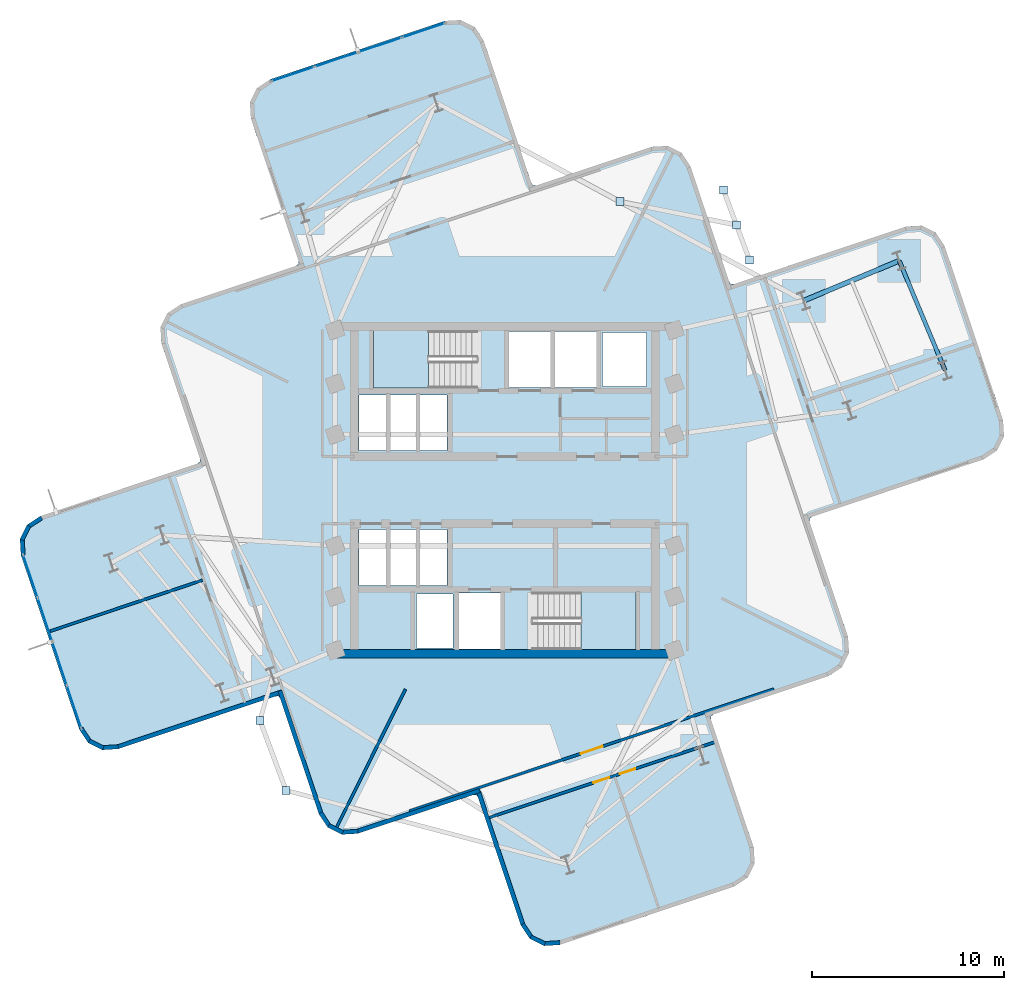
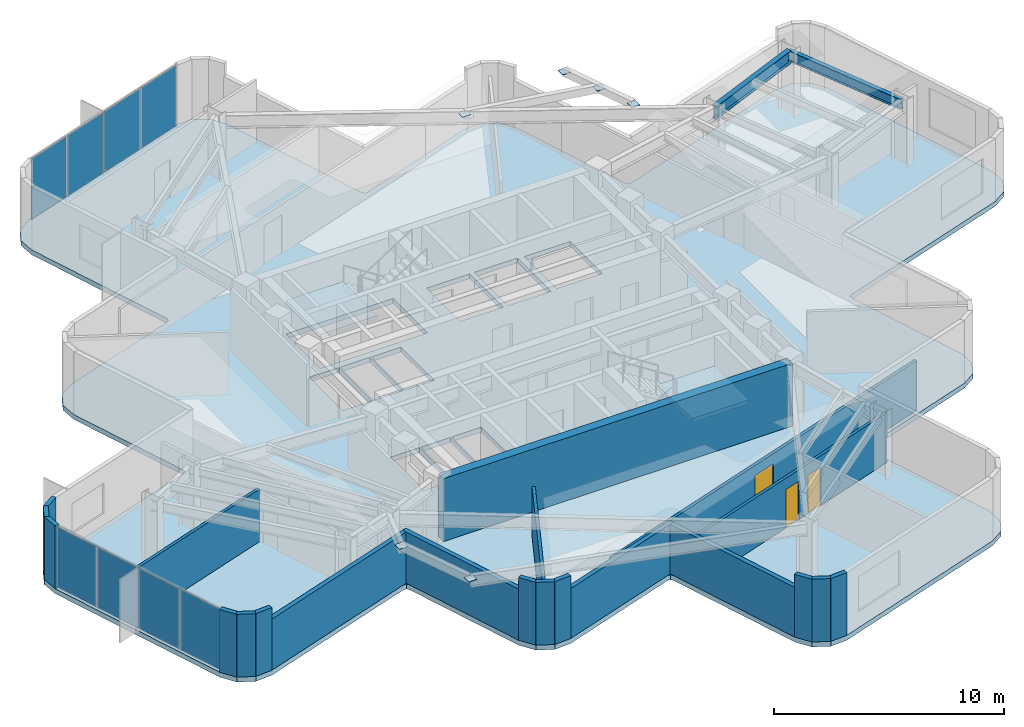
# One storey, part 6 of 12: 21 walls, 14 plates, 3 doors, 3 slabs, 2 beams, 3 openings, 4 elements without a shape of their own.
"""IFC4 building model written with IfcOpenShell, lengths in metres."""

from ifc_helpers import new_model, si_unit, direction, frame, frame_2d, origin, origin_2d, place, context, subcontext, project, spatial, polyline, rectangle, i_section, outline, extrude, material, layer, layer_set, material_profile, profile_set, type_object, element, fill, aggregate, save


model = new_model("IFC4")

# Units and contexts
model_context = context("Model", 3, precision=1e-05, world=origin(), true_north=direction((0.0, 1.0)))
body_context = subcontext(model_context, "Body", "Model", "MODEL_VIEW")
ifc_project = project(units=[si_unit("LENGTHUNIT", "METRE"), si_unit("AREAUNIT", "SQUARE_METRE"), si_unit("VOLUMEUNIT", "CUBIC_METRE"), si_unit("PLANEANGLEUNIT", "RADIAN"), si_unit("MASSUNIT", "GRAM", prefix="KILO")], contexts=[model_context])

# Site, building, storey
site_placement = place(None, origin())
site = spatial("IfcSite", under=ifc_project, at=site_placement, CompositionType="ELEMENT")
building_placement = place(site_placement, origin())
building = spatial("IfcBuilding", under=site, at=building_placement, Name="Solmarez Civic Tower", CompositionType="ELEMENT")
storey_placement = place(building_placement, frame((0.0, 0.0, 163.080078125)))
storey = spatial("IfcBuildingStorey", under=building, at=storey_placement, Name="L43", CompositionType="ELEMENT", Elevation=163.080078125)

# Beams
ifc_material_1 = material(Name="Steel S355", Category="steel")
ifc_material_profile_1 = material_profile(ifc_material_1, i_section(OverallWidth=0.25390625, OverallDepth=0.68798828125, WebThickness=0.01318359375, FlangeThickness=0.02099609375, at=origin_2d()), Name="W27X102")
ifc_profile_set_1 = profile_set([ifc_material_profile_1], Name="Steel S355")
beam_type_1 = type_object("IfcBeamType", Name="BM-PR-W27X102", PredefinedType="BEAM", material=ifc_profile_set_1)
beam_1_placement = place(storey_placement, frame((15.593994140625, 9.883056640625, 2.995849609375), z_axis=(0.922538326171, 0.385905476438, 0.0), x_axis=(-0.385905476438, 0.922538326171, 0.0)))
element("IfcBeam", 1, at=beam_1_placement, inside=storey, type_object=beam_type_1, Name="L43 Primary Floor Beam BM-L43-EA-R2B", PredefinedType="BEAM", context=body_context, shape_type="SweptSolid", body=[
    extrude(i_section(OverallWidth=0.25390625, OverallDepth=0.68798828125, WebThickness=0.01318359375, FlangeThickness=0.02099609375, at=origin_2d()), origin(), (0.0, 0.0, 1.0), 5.400146484375),
])
ifc_material_profile_2 = material_profile(ifc_material_1, i_section(OverallWidth=0.2109375, OverallDepth=0.5390625, WebThickness=0.01171875, FlangeThickness=0.018798828125, at=origin_2d()), Name="W21X73")
ifc_profile_set_2 = profile_set([ifc_material_profile_2], Name="Steel S355")
beam_type_2 = type_object("IfcBeamType", Name="BM-SP-W21X73", PredefinedType="SPANDREL", material=ifc_profile_set_2)
beam_2_placement = place(storey_placement, frame((22.968017578125, 6.248046875, 3.06982421875), z_axis=(-0.385876218946, 0.922550564279, 0.0), x_axis=(-0.922550564279, -0.385876218946, 0.0)))
element("IfcBeam", 2, at=beam_2_placement, inside=storey, type_object=beam_type_2, Name="L43 Perimeter Spandrel Beam BM-L43-EA-T2", PredefinedType="SPANDREL", context=body_context, shape_type="SweptSolid", body=[
    extrude(i_section(OverallWidth=0.2109375, OverallDepth=0.5390625, WebThickness=0.01171875, FlangeThickness=0.018798828125, at=origin_2d()), origin(), (0.0, 0.0, 1.0), 6.19921875),
])

# Curtain wall, plates
ifc_material_2 = material(Name="Bronze Anodised Aluminium EN AW-6063 T6", Category="aluminium")
ifc_layer_1 = layer(ifc_material_2, 0.175048828125)
ifc_layer_set_1 = layer_set([ifc_layer_1], Name="Bronze Anodised Aluminium EN AW-6063 T6")
curtain_wall_type = type_object("IfcCurtainWallType", Name="CW-SYS-3", PredefinedType="NOTDEFINED", material=ifc_layer_set_1)
curtain_wall_1_placement = place(storey_placement, origin())
curtain_wall_1 = element("IfcCurtainWall", 3, at=curtain_wall_1_placement, inside=storey, type_object=curtain_wall_type, Name="L43 Stick-Built Curtain Wall 1", PredefinedType="NOTDEFINED")
ifc_material_3 = material(Name="Solar Control Low-E Laminated Vision Glass", Category="glass")
ifc_layer_2 = layer(ifc_material_3, 0.035888671875)
ifc_layer_set_2 = layer_set([ifc_layer_2], Name="Solar Control Low-E Laminated Vision Glass")
plate_type_1 = type_object("IfcPlateType", Name="CWP-GLAZ-36", PredefinedType="CURTAIN_PANEL", material=ifc_layer_set_2)
plate_1_placement = place(storey_placement, frame((-22.4638671875, -11.303955078125, 0.06005859375), z_axis=(0.0, 0.0, 1.0), x_axis=(-0.317287618953, 0.948329355688, 0.0)))
plate_1 = element("IfcPlate", 4, at=plate_1_placement, type_object=plate_type_1, Name="CWS3 panel 1.1", PredefinedType="CURTAIN_PANEL", context=body_context, shape_type="SweptSolid", body=[
    extrude(rectangle(XDim=2.30810546875, YDim=0.035888671875, at=origin_2d()), origin(), (0.0, 0.0, 1.0), 3.219970703125),
])
plate_2_placement = place(storey_placement, frame((-23.221923828125, -9.0380859375, 0.06005859375), z_axis=(0.0, 0.0, 1.0), x_axis=(-0.317287618953, 0.948329355688, 0.0)))
plate_2 = element("IfcPlate", 5, at=plate_2_placement, type_object=plate_type_1, Name="CWS3 panel 2.1", PredefinedType="CURTAIN_PANEL", context=body_context, shape_type="SweptSolid", body=[
    extrude(rectangle(XDim=2.340576171875, YDim=0.035888671875, at=origin_2d()), origin(), (0.0, 0.0, 1.0), 3.219970703125),
])
plate_3_placement = place(storey_placement, frame((-23.985107421875, -6.7568359375, 0.06005859375), z_axis=(0.0, 0.0, 1.0), x_axis=(-0.317287618953, 0.948329355688, 0.0)))
plate_3 = element("IfcPlate", 6, at=plate_3_placement, type_object=plate_type_1, Name="CWS3 panel 3.1", PredefinedType="CURTAIN_PANEL", context=body_context, shape_type="SweptSolid", body=[
    extrude(rectangle(XDim=2.340576171875, YDim=0.035888671875, at=origin_2d()), origin(), (0.0, 0.0, 1.0), 3.219970703125),
])
plate_4_placement = place(storey_placement, frame((-24.7431640625, -4.490966796875, 0.06005859375), z_axis=(0.0, 0.0, 1.0), x_axis=(-0.317287618953, 0.948329355688, 0.0)))
plate_4 = element("IfcPlate", 7, at=plate_4_placement, type_object=plate_type_1, Name="CWS3 panel 4.1", PredefinedType="CURTAIN_PANEL", context=body_context, shape_type="SweptSolid", body=[
    extrude(rectangle(XDim=2.30810546875, YDim=0.035888671875, at=origin_2d()), origin(), (0.0, 0.0, 1.0), 3.219970703125),
])
aggregate(curtain_wall_1, [plate_1, plate_2, plate_3, plate_4])

curtain_wall_2_placement = place(storey_placement, origin())
curtain_wall_2 = element("IfcCurtainWall", 8, at=curtain_wall_2_placement, inside=storey, type_object=curtain_wall_type, Name="L43 Stick-Built Curtain Wall 2", PredefinedType="NOTDEFINED")
plate_5_placement = place(storey_placement, frame((-11.050048828125, 21.705810546875, 0.06005859375), z_axis=(0.0, 0.0, 1.0), x_axis=(0.948318891712, 0.317318892633, 0.0)))
plate_5 = element("IfcPlate", 9, at=plate_5_placement, type_object=plate_type_1, Name="CWS3 panel 1.1", PredefinedType="CURTAIN_PANEL", context=body_context, shape_type="SweptSolid", body=[
    extrude(rectangle(XDim=2.307861328125, YDim=0.035888671875, at=origin_2d()), origin(), (0.0, 0.0, 1.0), 3.219970703125),
])
plate_6_placement = place(storey_placement, frame((-8.784423828125, 22.4638671875, 0.06005859375), z_axis=(0.0, 0.0, 1.0), x_axis=(0.948318891712, 0.317318892633, 0.0)))
plate_6 = element("IfcPlate", 10, at=plate_6_placement, type_object=plate_type_1, Name="CWS3 panel 2.1", PredefinedType="CURTAIN_PANEL", context=body_context, shape_type="SweptSolid", body=[
    extrude(rectangle(XDim=2.34033203125, YDim=0.035888671875, at=origin_2d()), origin(), (0.0, 0.0, 1.0), 3.219970703125),
])
plate_7_placement = place(storey_placement, frame((-6.50341796875, 23.22705078125, 0.06005859375), z_axis=(0.0, 0.0, 1.0), x_axis=(0.948318891712, 0.317318892633, 0.0)))
plate_7 = element("IfcPlate", 11, at=plate_7_placement, type_object=plate_type_1, Name="CWS3 panel 3.1", PredefinedType="CURTAIN_PANEL", context=body_context, shape_type="SweptSolid", body=[
    extrude(rectangle(XDim=2.34033203125, YDim=0.035888671875, at=origin_2d()), origin(), (0.0, 0.0, 1.0), 3.219970703125),
])
plate_8_placement = place(storey_placement, frame((-4.23779296875, 23.985107421875, 0.06005859375), z_axis=(0.0, 0.0, 1.0), x_axis=(0.948318891712, 0.317318892633, 0.0)))
plate_8 = element("IfcPlate", 12, at=plate_8_placement, type_object=plate_type_1, Name="CWS3 panel 4.1", PredefinedType="CURTAIN_PANEL", context=body_context, shape_type="SweptSolid", body=[
    extrude(rectangle(XDim=2.307861328125, YDim=0.035888671875, at=origin_2d()), origin(), (0.0, 0.0, 1.0), 3.219970703125),
])
aggregate(curtain_wall_2, [plate_5, plate_6, plate_7, plate_8])

# Plates
ifc_layer_3 = layer(ifc_material_1, 0.02392578125)
ifc_layer_set_3 = layer_set([ifc_layer_3], Name="Steel S355")
plate_type_2 = type_object("IfcPlateType", Name="PLT-CAP-380", PredefinedType="USERDEFINED", material=ifc_layer_set_3)
for number, where, z_axis, x_axis, name in (
    (13, (12.76708984375, 12.0029296875, 3.1279296875), (0.0, 0.0, 1.0), (1.0, 0.0, 0.0), "Steel Member End Cap Plate CAP-BM-L43-BALC-NEE-0"),
    (14, (11.406982421875, 15.657958984375, 3.1279296875), (0.0, 0.0, 1.0), (1.0, 0.0, 0.0), "Steel Member End Cap Plate CAP-BM-L43-BALC-NEE-1"),
    (15, (6.011962890625, 15.044921875, 3.1279296875), (0.0, 0.0, 1.0), (1.0, 0.0, 0.0), "Steel Member End Cap Plate CAP-BM-L43-BALC-NEM-0"),
    (16, (12.0869140625, 13.8310546875, 3.1279296875), (0.0, 0.0, 1.0), (1.0, 0.0, 0.0), "Steel Member End Cap Plate CAP-BM-L43-BALC-NEM-1"),
    (17, (-12.76708984375, -12.0029296875, 3.1279296875), (0.0, 0.0, 1.0), (1.0, 0.0, 0.0), "Steel Member End Cap Plate CAP-BM-L43-BALC-SWE-0"),
    (18, (-11.406982421875, -15.657958984375, 3.1279296875), (0.0, 0.0, 1.0), (1.0, 0.0, 0.0), "Steel Member End Cap Plate CAP-BM-L43-BALC-SWE-1"),
):
    element("IfcPlate", number, at=place(storey_placement, frame(where, z_axis=z_axis, x_axis=x_axis)), inside=storey, type_object=plate_type_2, Name=name, ObjectType="CAP_PLATE", PredefinedType="USERDEFINED", context=body_context, shape_type="SweptSolid", body=[
        extrude(rectangle(XDim=0.419921875, YDim=0.419921875, at=origin_2d()), origin(), (0.0, 0.0, 1.0), 0.02392578125),
    ])

# Stair, slab
ifc_material_4 = material(Name="Concrete C50/60", Category="concrete")
stair_type = type_object("IfcStairType", Name="STAIR-DOGLEG-140W-20R-1800", PredefinedType="HALF_TURN_STAIR", material=ifc_material_4)
stair_1_placement = place(storey_placement, origin())
stair_1 = element("IfcStair", 19, at=stair_1_placement, inside=storey, type_object=stair_type, Name="L43 North Core Protected Exit Stair ST-1", PredefinedType="HALF_TURN_STAIR")
ifc_layer_4 = layer(ifc_material_4, 0.199951171875)
ifc_layer_set_4 = layer_set([ifc_layer_4], Name="Concrete C50/60")
slab_type_1 = type_object("IfcSlabType", Name="SLAB-LANDING-200", PredefinedType="LANDING", material=ifc_layer_set_4)
slab_1_placement = place(storey_placement, frame((0.0, 0.0, 1.599853515625)))
slab_1 = element("IfcSlab", 20, at=slab_1_placement, type_object=slab_type_1, Name="ST-1 landing 1", PredefinedType="LANDING", context=body_context, shape_type="SweptSolid", body=[
    extrude(outline(polyline([(-3.969970703125, 8.320068359375), (-6.85009765625, 8.320068359375), (-6.85009765625, 5.320068359375), (-3.969970703125, 5.320068359375), (-3.969970703125, 8.320068359375)])), origin(), (0.0, 0.0, 1.0), 0.199951171875),
])
aggregate(stair_1, [slab_1])

stair_2_placement = place(storey_placement, origin())
stair_2 = element("IfcStair", 21, at=stair_2_placement, inside=storey, type_object=stair_type, Name="L43 South Core Protected Exit Stair ST-2", PredefinedType="HALF_TURN_STAIR")
slab_2_placement = place(storey_placement, frame((0.0, 0.0, 1.599853515625)))
slab_2 = element("IfcSlab", 22, at=slab_2_placement, type_object=slab_type_1, Name="ST-2 landing 1", PredefinedType="LANDING", context=body_context, shape_type="SweptSolid", body=[
    extrude(outline(polyline([(3.969970703125, -8.320068359375), (6.85009765625, -8.320068359375), (6.85009765625, -5.320068359375), (3.969970703125, -5.320068359375), (3.969970703125, -8.320068359375)])), origin(), (0.0, 0.0, 1.0), 0.199951171875),
])
aggregate(stair_2, [slab_2])

# Slab
ifc_layer_5 = layer(ifc_material_4, 0.260009765625)
ifc_layer_set_5 = layer_set([ifc_layer_5], Name="Concrete C50/60")
slab_type_2 = type_object("IfcSlabType", Name="SLAB-TOWER-260", PredefinedType="FLOOR", material=ifc_layer_set_5)
slab_3_placement = place(storey_placement, frame((0.0, 0.0, -0.260009765625)))
element("IfcSlab", 23, at=slab_3_placement, inside=storey, type_object=slab_type_2, Name="L43 Structural Slab", PredefinedType="FLOOR", context=body_context, shape_type="SweptSolid", body=[
    extrude(outline(polyline([(-11.700927734375, -10.885986328125), (-9.68896484375, -16.89794921875), (-9.23193359375, -17.587890625), (-8.490966796875, -17.9580078125), (-7.6640625, -17.906982421875), (-1.652099609375, -15.89599609375), (-1.48095703125, -15.885009765625), (-1.385986328125, -16.029052734375), (0.847900390625, -22.7041015625), (1.304931640625, -23.39501953125), (2.0458984375, -23.763916015625), (2.873046875, -23.714111328125), (11.97705078125, -20.66796875), (12.66796875, -20.2109375), (13.037109375, -19.468994140625), (12.987060546875, -18.64306640625), (10.7529296875, -11.967041015625), (10.741943359375, -11.794921875), (10.885986328125, -11.700927734375), (16.89794921875, -9.68896484375), (17.587890625, -9.23193359375), (17.9580078125, -8.490966796875), (17.906982421875, -7.6640625), (15.89599609375, -1.652099609375), (15.885009765625, -1.48095703125), (16.029052734375, -1.385986328125), (24.97998046875, 1.610107421875), (25.6708984375, 2.06689453125), (26.0400390625, 2.80810546875), (25.989990234375, 3.635009765625), (22.944091796875, 12.738037109375), (22.487060546875, 13.428955078125), (21.7451171875, 13.799072265625), (20.9189453125, 13.748046875), (11.967041015625, 10.7529296875), (11.794921875, 10.741943359375), (11.700927734375, 10.885986328125), (9.68896484375, 16.89794921875), (9.23193359375, 17.587890625), (8.490966796875, 17.9580078125), (7.6640625, 17.906982421875), (1.652099609375, 15.89599609375), (1.48095703125, 15.885009765625), (1.385986328125, 16.029052734375), (-1.10205078125, 23.462890625), (-1.55908203125, 24.154052734375), (-2.300048828125, 24.52294921875), (-3.126953125, 24.471923828125), (-12.23095703125, 21.426025390625), (-12.9208984375, 20.968994140625), (-13.291015625, 20.22802734375), (-13.239990234375, 19.40087890625), (-10.7529296875, 11.967041015625), (-10.741943359375, 11.794921875), (-10.885986328125, 11.700927734375), (-16.89794921875, 9.68896484375), (-17.587890625, 9.23193359375), (-17.9580078125, 8.490966796875), (-17.906982421875, 7.6640625), (-15.89599609375, 1.652099609375), (-15.885009765625, 1.48095703125), (-16.029052734375, 1.385986328125), (-24.221923828125, -1.35595703125), (-24.912109375, -1.81298828125), (-25.281982421875, -2.553955078125), (-25.23095703125, -3.381103515625), (-22.18505859375, -12.485107421875), (-21.72802734375, -13.175048828125), (-20.987060546875, -13.544921875), (-20.159912109375, -13.493896484375), (-11.967041015625, -10.7529296875), (-11.794921875, -10.741943359375), (-11.700927734375, -10.885986328125)]), holes=[polyline([(-1.449951171875, 8.320068359375), (-6.85009765625, 8.320068359375), (-6.85009765625, 5.320068359375), (-1.449951171875, 5.320068359375), (-1.449951171875, 8.320068359375)]), polyline([(1.449951171875, -8.320068359375), (6.85009765625, -8.320068359375), (6.85009765625, -5.320068359375), (1.449951171875, -5.320068359375), (1.449951171875, -8.320068359375)]), polyline([(0.219970703125, 5.360107421875), (2.3798828125, 5.360107421875), (2.3798828125, 8.280029296875), (0.219970703125, 8.280029296875), (0.219970703125, 5.360107421875)]), polyline([(2.6201171875, 5.360107421875), (4.780029296875, 5.360107421875), (4.780029296875, 8.280029296875), (2.6201171875, 8.280029296875), (2.6201171875, 5.360107421875)]), polyline([(-2.3798828125, -8.280029296875), (-0.219970703125, -8.280029296875), (-0.219970703125, -5.360107421875), (-2.3798828125, -5.360107421875), (-2.3798828125, -8.280029296875)]), polyline([(-7.60009765625, -4.9599609375), (-6.1201171875, -4.9599609375), (-6.1201171875, -2.06005859375), (-7.60009765625, -2.06005859375), (-7.60009765625, -4.9599609375)]), polyline([(-6.0400390625, -4.9599609375), (-4.56005859375, -4.9599609375), (-4.56005859375, -2.06005859375), (-6.0400390625, -2.06005859375), (-6.0400390625, -4.9599609375)]), polyline([(-4.47998046875, -4.9599609375), (-3.0, -4.9599609375), (-3.0, -2.06005859375), (-4.47998046875, -2.06005859375), (-4.47998046875, -4.9599609375)]), polyline([(-7.60009765625, 2.06005859375), (-6.1201171875, 2.06005859375), (-6.1201171875, 4.9599609375), (-7.60009765625, 4.9599609375), (-7.60009765625, 2.06005859375)]), polyline([(-6.0400390625, 2.06005859375), (-4.56005859375, 2.06005859375), (-4.56005859375, 4.9599609375), (-6.0400390625, 4.9599609375), (-6.0400390625, 2.06005859375)]), polyline([(-4.47998046875, 2.06005859375), (-3.0, 2.06005859375), (-3.0, 4.9599609375), (-4.47998046875, 4.9599609375), (-4.47998046875, 2.06005859375)]), polyline([(5.10009765625, 5.419921875), (7.39990234375, 5.419921875), (7.39990234375, 8.219970703125), (5.10009765625, 8.219970703125), (5.10009765625, 5.419921875)]), polyline([(-4.60009765625, -8.219970703125), (-2.699951171875, -8.219970703125), (-2.699951171875, -5.419921875), (-4.60009765625, -5.419921875), (-4.60009765625, -8.219970703125)])]), origin(), (0.0, 0.0, 1.0), 0.260009765625),
])

# Walls
ifc_layer_6 = layer(ifc_material_4, 0.449951171875)
ifc_layer_set_6 = layer_set([ifc_layer_6], Name="Concrete C50/60")
wall_type_1 = type_object("IfcWallType", Name="WALL-CORE-450", PredefinedType="SHEAR", material=ifc_layer_set_6)
wall_1_placement = place(storey_placement, frame((8.780029296875, -8.534912109375, 0.0), z_axis=(0.0, 0.0, 1.0), x_axis=(-1.0, 0.0, 0.0)))
element("IfcWall", 24, at=wall_1_placement, inside=storey, type_object=wall_type_1, Name="L43 Split-Core Structural Wall SCW-S-L43", PredefinedType="SHEAR", context=body_context, shape_type="SweptSolid", body=[
    extrude(rectangle(XDim=17.56005859375, YDim=0.449951171875, at=frame_2d((8.780029296875, 0.0))), origin(), (0.0, 0.0, 1.0), 3.33984375),
])
ifc_material_5 = material(Name="Precast concrete C40/50", Category="concrete")
ifc_layer_7 = layer(ifc_material_5, 0.219970703125)
ifc_layer_set_7 = layer_set([ifc_layer_7], Name="Precast concrete C40/50")
wall_type_2 = type_object("IfcWallType", Name="WALL-EXT-220", PredefinedType="SOLIDWALL", material=ifc_layer_set_7)
wall_2_placement = place(storey_placement, frame((-11.614990234375, -10.51904296875, 0.0), z_axis=(0.0, 0.0, 1.0), x_axis=(-0.948329626758, -0.317286808759, 0.0)))
element("IfcWall", 25, at=wall_2_placement, inside=storey, type_object=wall_type_2, Name="L43 Exterior Precast Wall 2", PredefinedType="SOLIDWALL", context=body_context, shape_type="SweptSolid", body=[
    extrude(rectangle(XDim=9.05810546875, YDim=0.219970703125, at=frame_2d((4.529052734375, 0.0))), origin(), (0.0, 0.0, 1.0), 2.719970703125),
])
wall_3_placement = place(storey_placement, frame((-20.156005859375, -13.383056640625, 0.0), z_axis=(0.0, 0.0, 1.0), x_axis=(-0.998057128569, -0.062305442082, 0.0)))
element("IfcWall", 26, at=wall_3_placement, inside=storey, type_object=wall_type_2, Name="L43 Exterior Precast Wall 3", PredefinedType="SOLIDWALL", context=body_context, shape_type="SweptSolid", body=[
    extrude(rectangle(XDim=0.834716796875, YDim=0.219970703125, at=frame_2d((0.41748046875, 0.0))), origin(), (0.0, 0.0, 1.0), 3.33984375),
])
wall_4_placement = place(storey_placement, frame((-20.94189453125, -13.444091796875, 0.0), z_axis=(0.0, 0.0, 1.0), x_axis=(-0.894963703084, 0.446138958356, 0.0)))
element("IfcWall", 27, at=wall_4_placement, inside=storey, type_object=wall_type_2, Name="L43 Exterior Precast Wall 4", PredefinedType="SOLIDWALL", context=body_context, shape_type="SweptSolid", body=[
    extrude(rectangle(XDim=0.818115234375, YDim=0.219970703125, at=frame_2d((0.4091796875, 0.0))), origin(), (0.0, 0.0, 1.0), 3.33984375),
])
wall_5_placement = place(storey_placement, frame((-21.637939453125, -13.111083984375, 0.0), z_axis=(0.0, 0.0, 1.0), x_axis=(-0.552336300706, 0.833621383437, 0.0)))
element("IfcWall", 28, at=wall_5_placement, inside=storey, type_object=wall_type_2, Name="L43 Exterior Precast Wall 5", PredefinedType="SOLIDWALL", context=body_context, shape_type="SweptSolid", body=[
    extrude(rectangle(XDim=0.8349609375, YDim=0.219970703125, at=frame_2d((0.41748046875, 0.0))), origin(), (0.0, 0.0, 1.0), 3.33984375),
])
wall_6_placement = place(storey_placement, frame((-25.1201171875, -3.384033203125, 0.0), z_axis=(0.0, 0.0, 1.0), x_axis=(-0.062378286155, 0.998052578483, 0.0)))
element("IfcWall", 29, at=wall_6_placement, inside=storey, type_object=wall_type_2, Name="L43 Exterior Precast Wall 7", PredefinedType="SOLIDWALL", context=body_context, shape_type="SweptSolid", body=[
    extrude(rectangle(XDim=0.833740234375, YDim=0.219970703125, at=frame_2d((0.4169921875, 0.0))), origin(), (0.0, 0.0, 1.0), 3.33984375),
])
wall_7_placement = place(storey_placement, frame((-25.180908203125, -2.59912109375, 0.0), z_axis=(0.0, 0.0, 1.0), x_axis=(0.445662792415, 0.895200913459, 0.0)))
element("IfcWall", 30, at=wall_7_placement, inside=storey, type_object=wall_type_2, Name="L43 Exterior Precast Wall 8", PredefinedType="SOLIDWALL", context=body_context, shape_type="SweptSolid", body=[
    extrude(rectangle(XDim=0.819091796875, YDim=0.219970703125, at=frame_2d((0.40966796875, 0.0))), origin(), (0.0, 0.0, 1.0), 3.33984375),
])
for number, where, z_axis, x_axis, name in (
    (31, (-24.847900390625, -1.902099609375, 0.0), (0.0, 0.0, 1.0), (0.833532147948, 0.552470957008, 0.0), "L43 Exterior Precast Wall 9"),
    (32, (2.876953125, -23.60302734375, 0.0), (0.0, 0.0, 1.0), (-0.998057128569, -0.062305442082, 0.0), "L43 Exterior Precast Wall 61"),
):
    element("IfcWall", number, at=place(storey_placement, frame(where, z_axis=z_axis, x_axis=x_axis)), inside=storey, type_object=wall_type_2, Name=name, PredefinedType="SOLIDWALL", context=body_context, shape_type="SweptSolid", body=[
        extrude(rectangle(XDim=0.834716796875, YDim=0.219970703125, at=frame_2d((0.41748046875, 0.0))), origin(), (0.0, 0.0, 1.0), 3.33984375),
    ])
wall_8_placement = place(storey_placement, frame((2.091064453125, -23.6640625, 0.0), z_axis=(0.0, 0.0, 1.0), x_axis=(-0.894963703084, 0.446138958356, 0.0)))
element("IfcWall", 33, at=wall_8_placement, inside=storey, type_object=wall_type_2, Name="L43 Exterior Precast Wall 62", PredefinedType="SOLIDWALL", context=body_context, shape_type="SweptSolid", body=[
    extrude(rectangle(XDim=0.818115234375, YDim=0.219970703125, at=frame_2d((0.4091796875, 0.0))), origin(), (0.0, 0.0, 1.0), 3.33984375),
])
wall_9_placement = place(storey_placement, frame((1.39501953125, -23.3310546875, 0.0), z_axis=(0.0, 0.0, 1.0), x_axis=(-0.552133058206, 0.833756011094, 0.0)))
element("IfcWall", 34, at=wall_9_placement, inside=storey, type_object=wall_type_2, Name="L43 Exterior Precast Wall 63", PredefinedType="SOLIDWALL", context=body_context, shape_type="SweptSolid", body=[
    extrude(rectangle(XDim=0.834716796875, YDim=0.219970703125, at=frame_2d((0.41748046875, 0.0))), origin(), (0.0, 0.0, 1.0), 3.33984375),
])
wall_10_placement = place(storey_placement, frame((0.9560546875, -22.679931640625, 0.0), z_axis=(0.0, 0.0, 1.0), x_axis=(-0.317347016501, 0.948309480664, 0.0)))
element("IfcWall", 35, at=wall_10_placement, inside=storey, type_object=wall_type_2, Name="L43 Exterior Precast Wall 64", PredefinedType="SOLIDWALL", context=body_context, shape_type="SweptSolid", body=[
    extrude(rectangle(XDim=7.45849609375, YDim=0.219970703125, at=frame_2d((3.729248046875, 0.0))), origin(), (0.0, 0.0, 1.0), 2.64404296875),
])
wall_11_placement = place(storey_placement, frame((-1.300048828125, -15.662109375, 0.0), z_axis=(0.0, 0.0, 1.0), x_axis=(-0.948350412494, -0.317224676093, 0.0)))
element("IfcWall", 36, at=wall_11_placement, inside=storey, type_object=wall_type_2, Name="L43 Exterior Precast Wall 67", PredefinedType="SOLIDWALL", context=body_context, shape_type="SweptSolid", body=[
    extrude(rectangle(XDim=6.758056640625, YDim=0.219970703125, at=frame_2d((3.37890625, 0.0))), origin(), (0.0, 0.0, 1.0), 2.64404296875),
])
wall_12_placement = place(storey_placement, frame((-7.659912109375, -17.7958984375, 0.0), z_axis=(0.0, 0.0, 1.0), x_axis=(-0.998057128569, -0.062305442082, 0.0)))
element("IfcWall", 37, at=wall_12_placement, inside=storey, type_object=wall_type_2, Name="L43 Exterior Precast Wall 68", PredefinedType="SOLIDWALL", context=body_context, shape_type="SweptSolid", body=[
    extrude(rectangle(XDim=0.834716796875, YDim=0.219970703125, at=frame_2d((0.41748046875, 0.0))), origin(), (0.0, 0.0, 1.0), 3.33984375),
])
wall_13_placement = place(storey_placement, frame((-8.446044921875, -17.85693359375, 0.0), z_axis=(0.0, 0.0, 1.0), x_axis=(-0.894904281631, 0.446258139106, 0.0)))
element("IfcWall", 38, at=wall_13_placement, inside=storey, type_object=wall_type_2, Name="L43 Exterior Precast Wall 69", PredefinedType="SOLIDWALL", context=body_context, shape_type="SweptSolid", body=[
    extrude(rectangle(XDim=0.81787109375, YDim=0.219970703125, at=frame_2d((0.408935546875, 0.0))), origin(), (0.0, 0.0, 1.0), 3.33984375),
])
wall_14_placement = place(storey_placement, frame((-9.14208984375, -17.52392578125, 0.0), z_axis=(0.0, 0.0, 1.0), x_axis=(-0.552133058206, 0.833756011094, 0.0)))
element("IfcWall", 39, at=wall_14_placement, inside=storey, type_object=wall_type_2, Name="L43 Exterior Precast Wall 70", PredefinedType="SOLIDWALL", context=body_context, shape_type="SweptSolid", body=[
    extrude(rectangle(XDim=0.834716796875, YDim=0.219970703125, at=frame_2d((0.41748046875, 0.0))), origin(), (0.0, 0.0, 1.0), 3.33984375),
])
wall_15_placement = place(storey_placement, frame((-9.5810546875, -16.873046875, 0.0), z_axis=(0.0, 0.0, 1.0), x_axis=(-0.317387116224, 0.94829606055, 0.0)))
element("IfcWall", 40, at=wall_15_placement, inside=storey, type_object=wall_type_2, Name="L43 Exterior Precast Wall 71", PredefinedType="SOLIDWALL", context=body_context, shape_type="SweptSolid", body=[
    extrude(rectangle(XDim=6.75830078125, YDim=0.219970703125, at=frame_2d((3.379150390625, 0.0))), origin(), (0.0, 0.0, 1.0), 2.719970703125),
])
ifc_material_6 = material(Name="Gypsum Board Acoustic Steel-Stud Partition", Category="steel")
ifc_layer_8 = layer(ifc_material_6, 0.14501953125)
ifc_layer_set_8 = layer_set([ifc_layer_8], Name="Gypsum Board Acoustic Steel-Stud Partition")
wall_type_3 = type_object("IfcWallType", Name="WALL-INT-PART-150", PredefinedType="PARTITIONING", material=ifc_layer_set_8)
wall_16_placement = place(storey_placement, frame((-5.176025390625, -10.3798828125, 0.0), z_axis=(0.0, 0.0, 1.0), x_axis=(-0.446173290391, -0.894946587759, 0.0)))
element("IfcWall", 41, at=wall_16_placement, inside=storey, type_object=wall_type_3, Name="L43 Interior Partition PT-L43-QDIV-3", PredefinedType="PARTITIONING", context=body_context, shape_type="SweptSolid", body=[
    extrude(rectangle(XDim=8.075439453125, YDim=0.14501953125, at=frame_2d((4.03759765625, 0.0))), origin(), (0.0, 0.0, 1.0), 2.64404296875),
])
wall_17_placement = place(storey_placement, frame((-15.7548828125, -4.69189453125, 0.0), z_axis=(0.0, 0.0, 1.0), x_axis=(-0.948309976651, -0.31734553437, 0.0)))
element("IfcWall", 42, at=wall_17_placement, inside=storey, type_object=wall_type_3, Name="L43 Interior Partition PT-L43-W-TSP", PredefinedType="PARTITIONING", context=body_context, shape_type="SweptSolid", body=[
    extrude(rectangle(XDim=8.385498046875, YDim=0.14501953125, at=frame_2d((4.19287109375, 0.0))), origin(), (0.0, 0.0, 1.0), 2.79296875),
])

# Wall, opening, door
wall_18_placement = place(storey_placement, frame((14.037109375, -10.3720703125, 0.0), z_axis=(0.0, 0.0, 1.0), x_axis=(-0.94832575435, -0.317298382655, 0.0)))
wall_18 = element("IfcWall", 43, at=wall_18_placement, inside=storey, type_object=wall_type_3, Name="L43 Interior Partition PT-L43-S-ENT", PredefinedType="PARTITIONING", context=body_context, shape_type="SweptSolid", body=[
    extrude(rectangle(XDim=20.040771484375, YDim=0.14501953125, at=frame_2d((10.0205078125, 0.0))), origin(), (0.0, 0.0, 1.0), 2.64404296875),
])
opening_1_placement = place(wall_18_placement, frame((9.419921875, 0.0, 0.0)))
opening_1 = element("IfcOpeningElement", 44, at=opening_1_placement, cuts=wall_18, Name="Opening D-11", PredefinedType="OPENING", context=body_context, shape_type="SweptSolid", body=[
    extrude(rectangle(XDim=1.199951171875, YDim=2.10009765625, at=frame_2d((0.60009765625, 1.050048828125))), frame((0.0, 0.08251953125, 0.0), z_axis=(0.0, -1.0, 0.0), x_axis=(1.0, 0.0, 0.0)), (0.0, 0.0, 1.0), 0.1650390625),
])
ifc_material_7 = material(Name="Glazed-Vision Acoustic Chamber Door", Category="wood")
door_type_1 = type_object("IfcDoorType", Name="DOOR-INT-1200", OperationType="NOTDEFINED", PredefinedType="DOOR", material=ifc_material_7)
door_1_placement = place(opening_1_placement, origin())
door_1 = element("IfcDoor", 45, at=door_1_placement, inside=storey, type_object=door_type_1, Name="L43 Ministry Conference Room First South Door", OperationType="SINGLE_SWING_LEFT", OverallHeight=2.10009765625, OverallWidth=1.199951171875, PredefinedType="DOOR", context=body_context, shape_type="SweptSolid", body=[
    extrude(rectangle(XDim=1.199951171875, YDim=2.10009765625, at=frame_2d((0.60009765625, 1.050048828125))), frame((0.0, 0.02490234375, 0.0), z_axis=(0.0, -1.0, 0.0), x_axis=(1.0, 0.0, 0.0)), (0.0, 0.0, 1.0), 0.050048828125),
])
fill(opening_1, door_1)

# Wall, openings, doors
wall_19_placement = place(storey_placement, frame((-0.8359375, -17.087890625, 0.0), z_axis=(0.0, 0.0, 1.0), x_axis=(0.948331136084, 0.317282297544, 0.0)))
wall_19 = element("IfcWall", 46, at=wall_19_placement, inside=storey, type_object=wall_type_3, Name="L43 Interior Partition PT-L43-S-SCUT", PredefinedType="PARTITIONING", context=body_context, shape_type="SweptSolid", body=[
    extrude(rectangle(XDim=12.43017578125, YDim=0.14501953125, at=frame_2d((6.215087890625, 0.0))), origin(), (0.0, 0.0, 1.0), 2.64404296875),
])
opening_2_placement = place(wall_19_placement, frame((5.764892578125, 0.0, 0.0)))
opening_2 = element("IfcOpeningElement", 47, at=opening_2_placement, cuts=wall_19, Name="Opening D-14", PredefinedType="OPENING", context=body_context, shape_type="SweptSolid", body=[
    extrude(rectangle(XDim=0.860107421875, YDim=2.0400390625, at=frame_2d((0.43017578125, 1.02001953125))), frame((0.0, 0.08251953125, 0.0), z_axis=(0.0, -1.0, 0.0), x_axis=(1.0, 0.0, 0.0)), (0.0, 0.0, 1.0), 0.1650390625),
])
opening_3_placement = place(wall_19_placement, frame((7.2041015625, 0.0, 0.0)))
opening_3 = element("IfcOpeningElement", 48, at=opening_3_placement, cuts=wall_19, Name="Opening D-14", PredefinedType="OPENING", context=body_context, shape_type="SweptSolid", body=[
    extrude(rectangle(XDim=0.860107421875, YDim=2.0400390625, at=frame_2d((0.43017578125, 1.02001953125))), frame((0.0, 0.08251953125, 0.0), z_axis=(0.0, -1.0, 0.0), x_axis=(1.0, 0.0, 0.0)), (0.0, 0.0, 1.0), 0.1650390625),
])
ifc_material_8 = material(Name="Timber Storage and Pantry Door", Category="wood")
door_type_2 = type_object("IfcDoorType", Name="DOOR-INT-850", OperationType="NOTDEFINED", PredefinedType="DOOR", material=ifc_material_8)
door_2_placement = place(opening_2_placement, origin())
door_2 = element("IfcDoor", 49, at=door_2_placement, inside=storey, type_object=door_type_2, Name="L43 Security Control Room Third South Door", OperationType="SINGLE_SWING_RIGHT", OverallHeight=2.0400390625, OverallWidth=0.860107421875, PredefinedType="DOOR", context=body_context, shape_type="SweptSolid", body=[
    extrude(rectangle(XDim=0.860107421875, YDim=2.0400390625, at=frame_2d((0.43017578125, 1.02001953125))), frame((0.0, 0.02490234375, 0.0), z_axis=(0.0, -1.0, 0.0), x_axis=(1.0, 0.0, 0.0)), (0.0, 0.0, 1.0), 0.050048828125),
])
fill(opening_2, door_2)
door_3_placement = place(opening_3_placement, origin())
door_3 = element("IfcDoor", 50, at=door_3_placement, inside=storey, type_object=door_type_2, Name="L43 Delegation Concierge Room Second South Door", OperationType="SINGLE_SWING_LEFT", OverallHeight=2.0400390625, OverallWidth=0.860107421875, PredefinedType="DOOR", context=body_context, shape_type="SweptSolid", body=[
    extrude(rectangle(XDim=0.860107421875, YDim=2.0400390625, at=frame_2d((0.43017578125, 1.02001953125))), frame((0.0, 0.02490234375, 0.0), z_axis=(0.0, -1.0, 0.0), x_axis=(1.0, 0.0, 0.0)), (0.0, 0.0, 1.0), 0.050048828125),
])
fill(opening_3, door_3)

save(model, "model.ifc")
